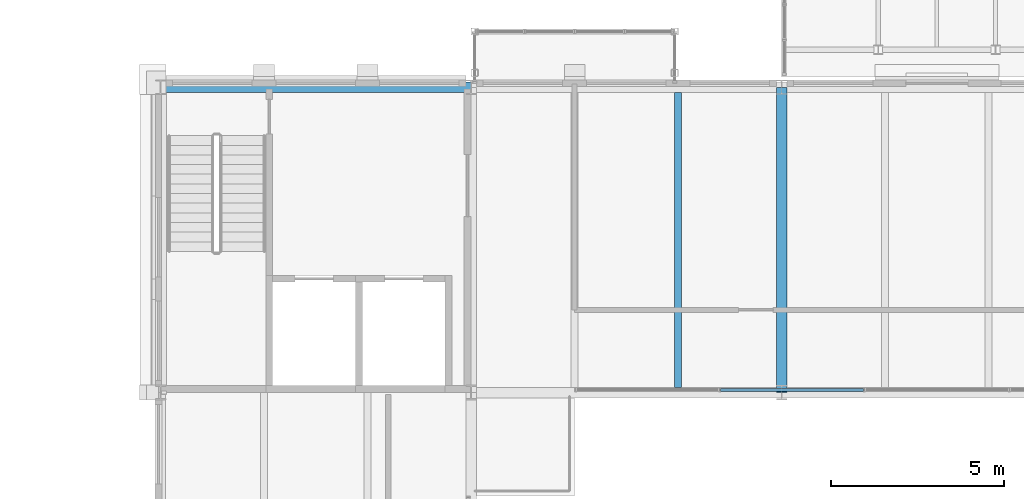
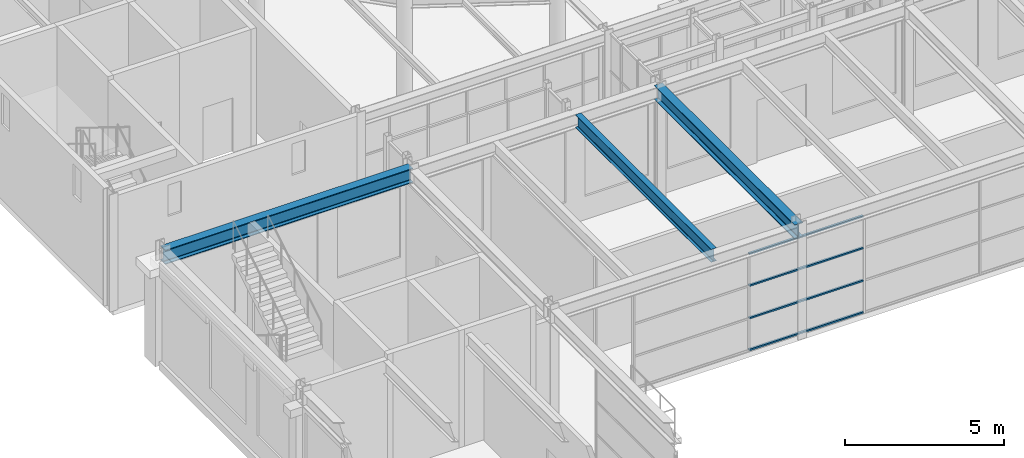
# One storey, part 43 of 149: 4 members, 3 beams, 1 element without a shape of its own.
"""IFC4 building model written with IfcOpenShell, lengths in metres."""

from ifc_helpers import new_model, si_unit, direction, frame, origin, origin_2d, place, context, subcontext, project, spatial, hollow_rectangle, i_section, extrude, material, material_profile, profile_set, type_object, element, aggregate, save


model = new_model("IFC4")

# Units and contexts
model_context = context("Model", 3, precision=1e-05, world=origin(), true_north=direction((0.0, 1.0)))
body_context = subcontext(model_context, "Body", "Model", "MODEL_VIEW")
ifc_project = project(units=[si_unit("LENGTHUNIT", "METRE"), si_unit("AREAUNIT", "SQUARE_METRE"), si_unit("VOLUMEUNIT", "CUBIC_METRE"), si_unit("PLANEANGLEUNIT", "RADIAN"), si_unit("MASSUNIT", "GRAM", prefix="KILO")], contexts=[model_context])

# Site, building, storey
site_placement = place(None, origin())
site = spatial("IfcSite", under=ifc_project, at=site_placement, CompositionType="ELEMENT")
building_placement = place(site_placement, origin())
building = spatial("IfcBuilding", under=site, at=building_placement, Name="Kallimachos Central Library", CompositionType="ELEMENT")
storey_placement = place(building_placement, frame((0.0, 0.0, 9.89990234375)))
storey = spatial("IfcBuildingStorey", under=building, at=storey_placement, Name="L02", CompositionType="ELEMENT", Elevation=9.89990234375)

# Curtain wall, members
ifc_material_1 = material(Name="Aluminium and laminated glass", Category="aluminium")
curtain_wall_type = type_object("IfcCurtainWallType", Name="Atrium glazed screen", PredefinedType="NOTDEFINED", material=ifc_material_1)
curtain_wall_placement = place(storey_placement, origin())
curtain_wall = element("IfcCurtainWall", 1, at=curtain_wall_placement, inside=storey, type_object=curtain_wall_type, Name="L02 atrium screen N", PredefinedType="NOTDEFINED")
ifc_material_2 = material(Name="Anodised aluminium", Category="aluminium")
ifc_material_profile_1 = material_profile(ifc_material_2, hollow_rectangle(XDim=0.06005859375, YDim=0.080078125, WallThickness=0.00390625, at=origin_2d()), Name="ALU TRANSOM 60x80")
ifc_profile_set_1 = profile_set([ifc_material_profile_1], Name="Anodised aluminium")
member_type = type_object("IfcMemberType", Name="Atrium screen transom", PredefinedType="USERDEFINED", material=ifc_profile_set_1)
member_1_placement = place(storey_placement, frame((81.72998046875, 75.080078125, 0.030029296875), z_axis=(1.0, 0.0, 0.0), x_axis=(0.0, 0.0, 1.0)))
member_1 = element("IfcMember", 2, at=member_1_placement, type_object=member_type, Name="CW transom 2.1", ObjectType="TRANSOM", PredefinedType="USERDEFINED", context=body_context, shape_type="SweptSolid", body=[
    extrude(hollow_rectangle(XDim=0.06005859375, YDim=0.080078125, WallThickness=0.00390625, at=origin_2d()), origin(), (0.0, 0.0, 1.0), 4.14013671875),
])
member_2_placement = place(storey_placement, frame((81.72998046875, 75.080078125, 1.25), z_axis=(1.0, 0.0, 0.0), x_axis=(0.0, 0.0, 1.0)))
member_2 = element("IfcMember", 3, at=member_2_placement, type_object=member_type, Name="CW transom 2.2", ObjectType="TRANSOM", PredefinedType="USERDEFINED", context=body_context, shape_type="SweptSolid", body=[
    extrude(hollow_rectangle(XDim=0.06005859375, YDim=0.080078125, WallThickness=0.00390625, at=origin_2d()), origin(), (0.0, 0.0, 1.0), 4.14013671875),
])
member_3_placement = place(storey_placement, frame((81.72998046875, 75.080078125, 2.5), z_axis=(1.0, 0.0, 0.0), x_axis=(0.0, 0.0, 1.0)))
member_3 = element("IfcMember", 4, at=member_3_placement, type_object=member_type, Name="CW transom 2.3", ObjectType="TRANSOM", PredefinedType="USERDEFINED", context=body_context, shape_type="SweptSolid", body=[
    extrude(hollow_rectangle(XDim=0.06005859375, YDim=0.080078125, WallThickness=0.00390625, at=origin_2d()), origin(), (0.0, 0.0, 1.0), 4.14013671875),
])
member_4_placement = place(storey_placement, frame((81.72998046875, 75.080078125, 3.72021484375), z_axis=(1.0, 0.0, 0.0), x_axis=(0.0, 0.0, 1.0)))
member_4 = element("IfcMember", 5, at=member_4_placement, type_object=member_type, Name="CW transom 2.4", ObjectType="TRANSOM", PredefinedType="USERDEFINED", context=body_context, shape_type="SweptSolid", body=[
    extrude(hollow_rectangle(XDim=0.06005859375, YDim=0.080078125, WallThickness=0.00390625, at=origin_2d()), origin(), (0.0, 0.0, 1.0), 4.14013671875),
])
aggregate(curtain_wall, [member_1, member_2, member_3, member_4])

# Beams
ifc_material_3 = material(Name="Steel S355J2", Category="steel")
ifc_material_profile_2 = material_profile(ifc_material_3, i_section(OverallWidth=0.300048828125, OverallDepth=0.550048828125, WebThickness=0.014892578125, FlangeThickness=0.029052734375, FilletRadius=0.027099609375, at=origin_2d()), Name="HEB 550")
ifc_profile_set_2 = profile_set([ifc_material_profile_2], Name="Steel S355J2")
beam_type_1 = type_object("IfcBeamType", Name="HEB 550 beam", PredefinedType="BEAM", material=ifc_profile_set_2)
beam_1_placement = place(storey_placement, frame((65.5, 83.85009765625, 4.025146484375), z_axis=(1.0, 0.0, 0.0), x_axis=(0.0, 1.0, 0.0)))
element("IfcBeam", 6, at=beam_1_placement, inside=storey, type_object=beam_type_1, Name="V4-BEM-L02-004", PredefinedType="BEAM", context=body_context, shape_type="SweptSolid", body=[
    extrude(i_section(OverallWidth=0.300048828125, OverallDepth=0.550048828125, WebThickness=0.014892578125, FlangeThickness=0.029052734375, FilletRadius=0.027099609375, at=origin_2d()), origin(), (0.0, 0.0, 1.0), 9.0),
])
beam_2_placement = place(storey_placement, frame((83.5, 75.0, 4.025146484375), z_axis=(0.0, 1.0, 0.0), x_axis=(-1.0, 0.0, 0.0)))
element("IfcBeam", 7, at=beam_2_placement, inside=storey, type_object=beam_type_1, Name="V4-BEM-L02-011", PredefinedType="BEAM", context=body_context, shape_type="SweptSolid", body=[
    extrude(i_section(OverallWidth=0.300048828125, OverallDepth=0.550048828125, WebThickness=0.014892578125, FlangeThickness=0.029052734375, FilletRadius=0.027099609375, at=origin_2d()), origin(), (0.0, 0.0, 1.0), 8.85009765625),
])
ifc_material_4 = material(Name="Steel S355J2", Category="steel")
ifc_material_profile_3 = material_profile(ifc_material_4, i_section(OverallWidth=0.199951171875, OverallDepth=0.5, WebThickness=0.01025390625, FlangeThickness=0.01611328125, FilletRadius=0.02099609375, at=origin_2d()), Name="IPE 500")
ifc_profile_set_3 = profile_set([ifc_material_profile_3], Name="Steel S355J2")
beam_type_2 = type_object("IfcBeamType", Name="IPE 500 beam", PredefinedType="BEAM", material=ifc_profile_set_3)
beam_3_placement = place(storey_placement, frame((80.5, 75.14990234375, 4.050048828125), z_axis=(0.0, 1.0, 0.0), x_axis=(-1.0, 0.0, 0.0)))
element("IfcBeam", 8, at=beam_3_placement, inside=storey, type_object=beam_type_2, Name="V4-BEM-L02-016", PredefinedType="BEAM", context=body_context, shape_type="SweptSolid", body=[
    extrude(i_section(OverallWidth=0.199951171875, OverallDepth=0.5, WebThickness=0.01025390625, FlangeThickness=0.01611328125, FilletRadius=0.02099609375, at=origin_2d()), origin(), (0.0, 0.0, 1.0), 8.550048828125),
])

save(model, "model.ifc")
